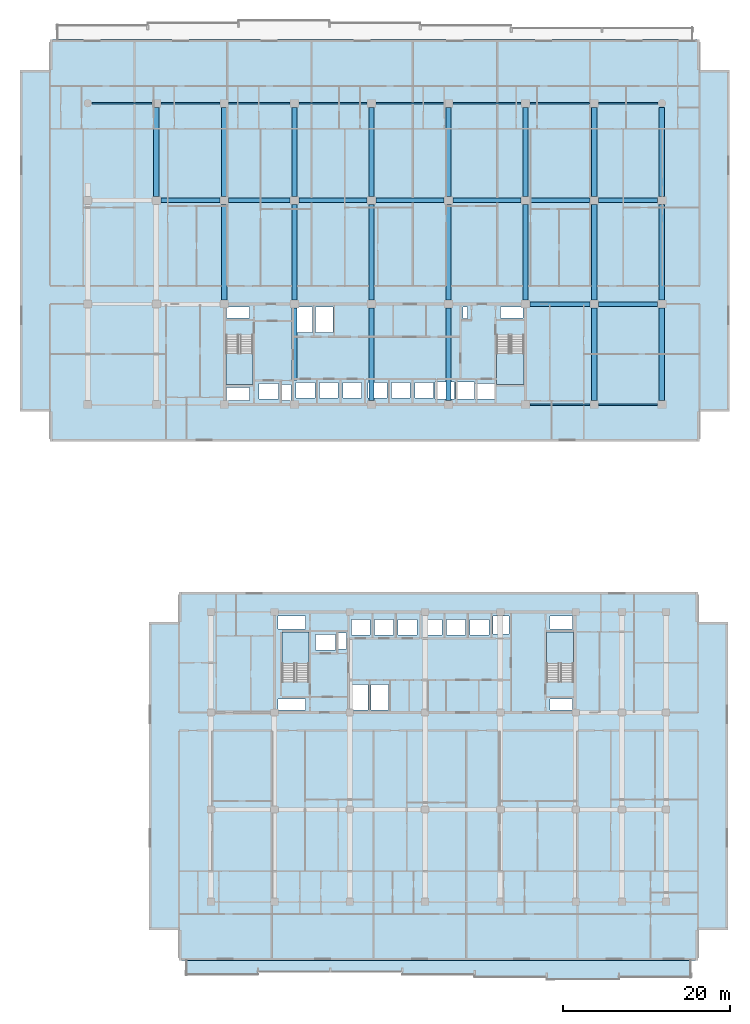
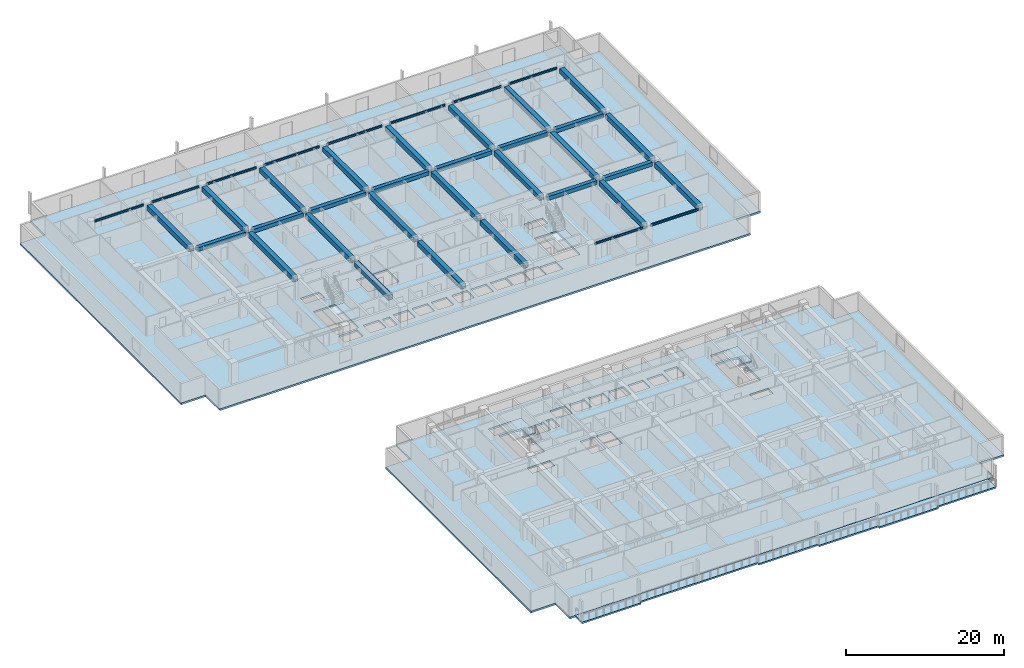
# One storey, part 2 of 23: 39 beams, 7 slabs, 4 elements without a shape of their own.
"""IFC4 building model written with IfcOpenShell, lengths in metres."""

from ifc_helpers import new_model, si_unit, direction, frame, origin, origin_2d, place, context, subcontext, project, spatial, polyline, rectangle, i_section, outline, extrude, material, layer, layer_set, material_profile, profile_set, type_object, element, aggregate, save


model = new_model("IFC4")

# Units and contexts
model_context = context("Model", 3, precision=1e-05, world=origin(), true_north=direction((0.0, 1.0)))
body_context = subcontext(model_context, "Body", "Model", "MODEL_VIEW")
ifc_project = project(units=[si_unit("LENGTHUNIT", "METRE"), si_unit("AREAUNIT", "SQUARE_METRE"), si_unit("VOLUMEUNIT", "CUBIC_METRE"), si_unit("PLANEANGLEUNIT", "RADIAN"), si_unit("MASSUNIT", "GRAM", prefix="KILO")], contexts=[model_context])

# Site, building, storey
site_placement = place(None, origin())
site = spatial("IfcSite", under=ifc_project, at=site_placement, CompositionType="ELEMENT")
building_placement = place(site_placement, origin())
building = spatial("IfcBuilding", under=site, at=building_placement, Name="Korimba Cascade Residences", CompositionType="ELEMENT")
storey_placement = place(building_placement, frame((0.0, 0.0, 27.25)))
storey = spatial("IfcBuildingStorey", under=building, at=storey_placement, Name="L06", CompositionType="ELEMENT", Elevation=27.25)

# Beams
ifc_material_1 = material(Name="Concrete C50/60", Category="concrete")
ifc_material_profile_1 = material_profile(ifc_material_1, rectangle(XDim=0.550048828125, YDim=0.60009765625, at=origin_2d()), Name="Concrete C50/60")
ifc_profile_set_1 = profile_set([ifc_material_profile_1], Name="Concrete C50/60")
beam_type_1 = type_object("IfcBeamType", Name="BM-RC-B600", PredefinedType="BEAM", material=ifc_profile_set_1)
beam_1_placement = place(storey_placement, frame((112.625, 67.199951171875, 2.669921875), z_axis=(1.0, 0.0, 0.0), x_axis=(0.0, 1.0, 0.0)))
element("IfcBeam", 1, at=beam_1_placement, inside=storey, type_object=beam_type_1, Name="L06 T1 E-W Girder Y2 Bay 7", PredefinedType="BEAM", context=body_context, shape_type="SweptSolid", body=[
    extrude(rectangle(XDim=0.550048828125, YDim=0.60009765625, at=origin_2d()), origin(), (0.0, 0.0, 1.0), 7.14990234375),
])
for number, where, z_axis, x_axis, name in (
    (2, (120.824951171875, 67.199951171875, 2.669921875), (1.0, 0.0, 0.0), (0.0, 1.0, 0.0), "L06 T1 E-W Girder Y2 Bay 8"),
    (3, (68.52490234375, 79.60009765625, 2.669921875), (1.0, 0.0, 0.0), (0.0, 1.0, 0.0), "L06 T1 E-W Girder Y3 Bay 2"),
):
    element("IfcBeam", number, at=place(storey_placement, frame(where, z_axis=z_axis, x_axis=x_axis)), inside=storey, type_object=beam_type_1, Name=name, PredefinedType="BEAM", context=body_context, shape_type="SweptSolid", body=[
        extrude(rectangle(XDim=0.550048828125, YDim=0.60009765625, at=origin_2d()), origin(), (0.0, 0.0, 1.0), 7.050048828125),
    ])
beam_2_placement = place(storey_placement, frame((76.625, 79.60009765625, 2.669921875), z_axis=(1.0, 0.0, 0.0), x_axis=(0.0, 1.0, 0.0)))
element("IfcBeam", 4, at=beam_2_placement, inside=storey, type_object=beam_type_1, Name="L06 T1 E-W Girder Y3 Bay 3", PredefinedType="BEAM", context=body_context, shape_type="SweptSolid", body=[
    extrude(rectangle(XDim=0.550048828125, YDim=0.60009765625, at=origin_2d()), origin(), (0.0, 0.0, 1.0), 7.35009765625),
])
beam_3_placement = place(storey_placement, frame((85.02490234375, 79.60009765625, 2.669921875), z_axis=(1.0, 0.0, 0.0), x_axis=(0.0, 1.0, 0.0)))
element("IfcBeam", 5, at=beam_3_placement, inside=storey, type_object=beam_type_1, Name="L06 T1 E-W Girder Y3 Bay 4", PredefinedType="BEAM", context=body_context, shape_type="SweptSolid", body=[
    extrude(rectangle(XDim=0.550048828125, YDim=0.60009765625, at=origin_2d()), origin(), (0.0, 0.0, 1.0), 8.150146484375),
])
for number, where, z_axis, x_axis, name in (
    (6, (94.22509765625, 79.60009765625, 2.669921875), (1.0, 0.0, 0.0), (0.0, 1.0, 0.0), "L06 T1 E-W Girder Y3 Bay 5"),
    (7, (103.425048828125, 79.60009765625, 2.669921875), (1.0, 0.0, 0.0), (0.0, 1.0, 0.0), "L06 T1 E-W Girder Y3 Bay 6"),
):
    element("IfcBeam", number, at=place(storey_placement, frame(where, z_axis=z_axis, x_axis=x_axis)), inside=storey, type_object=beam_type_1, Name=name, PredefinedType="BEAM", context=body_context, shape_type="SweptSolid", body=[
        extrude(rectangle(XDim=0.550048828125, YDim=0.60009765625, at=origin_2d()), origin(), (0.0, 0.0, 1.0), 8.14990234375),
    ])
beam_4_placement = place(storey_placement, frame((112.625, 79.60009765625, 2.669921875), z_axis=(1.0, 0.0, 0.0), x_axis=(0.0, 1.0, 0.0)))
element("IfcBeam", 8, at=beam_4_placement, inside=storey, type_object=beam_type_1, Name="L06 T1 E-W Girder Y3 Bay 7", PredefinedType="BEAM", context=body_context, shape_type="SweptSolid", body=[
    extrude(rectangle(XDim=0.550048828125, YDim=0.60009765625, at=origin_2d()), origin(), (0.0, 0.0, 1.0), 7.14990234375),
])
beam_5_placement = place(storey_placement, frame((120.824951171875, 79.60009765625, 2.669921875), z_axis=(1.0, 0.0, 0.0), x_axis=(0.0, 1.0, 0.0)))
element("IfcBeam", 9, at=beam_5_placement, inside=storey, type_object=beam_type_1, Name="L06 T1 E-W Girder Y3 Bay 8", PredefinedType="BEAM", context=body_context, shape_type="SweptSolid", body=[
    extrude(rectangle(XDim=0.550048828125, YDim=0.60009765625, at=origin_2d()), origin(), (0.0, 0.0, 1.0), 7.050048828125),
])
ifc_material_profile_2 = material_profile(ifc_material_1, rectangle(XDim=0.64990234375, YDim=0.75, at=origin_2d()), Name="Concrete C50/60")
ifc_profile_set_2 = profile_set([ifc_material_profile_2], Name="Concrete C50/60")
beam_type_2 = type_object("IfcBeamType", Name="BM-RC-G750", PredefinedType="BEAM", material=ifc_profile_set_2)
beam_6_placement = place(storey_placement, frame((68.0, 80.074951171875, 2.594970703125), z_axis=(0.0, 1.0, 0.0), x_axis=(-1.0, 0.0, 0.0)))
element("IfcBeam", 10, at=beam_6_placement, inside=storey, type_object=beam_type_2, Name="L06 T1 N-S Girder X2 Seg 3", PredefinedType="BEAM", context=body_context, shape_type="SweptSolid", body=[
    extrude(rectangle(XDim=0.64990234375, YDim=0.75, at=origin_2d()), origin(), (0.0, 0.0, 1.0), 10.650146484375),
])
beam_7_placement = place(storey_placement, frame((76.10009765625, 67.675048828125, 2.594970703125), z_axis=(0.0, 1.0, 0.0), x_axis=(-1.0, 0.0, 0.0)))
element("IfcBeam", 11, at=beam_7_placement, inside=storey, type_object=beam_type_2, Name="L06 T1 N-S Girder X3 Seg 2", PredefinedType="BEAM", context=body_context, shape_type="SweptSolid", body=[
    extrude(rectangle(XDim=0.64990234375, YDim=0.75, at=origin_2d()), origin(), (0.0, 0.0, 1.0), 11.449951171875),
])
beam_8_placement = place(storey_placement, frame((76.10009765625, 80.074951171875, 2.594970703125), z_axis=(0.0, 1.0, 0.0), x_axis=(-1.0, 0.0, 0.0)))
element("IfcBeam", 12, at=beam_8_placement, inside=storey, type_object=beam_type_2, Name="L06 T1 N-S Girder X3 Seg 3", PredefinedType="BEAM", context=body_context, shape_type="SweptSolid", body=[
    extrude(rectangle(XDim=0.64990234375, YDim=0.75, at=origin_2d()), origin(), (0.0, 0.0, 1.0), 10.650146484375),
])
beam_9_placement = place(storey_placement, frame((84.5, 58.159912109375, 2.594970703125), z_axis=(0.0, 1.0, 0.0), x_axis=(-1.0, 0.0, 0.0)))
element("IfcBeam", 13, at=beam_9_placement, inside=storey, type_object=beam_type_2, Name="L06 T1 N-S Girder X4 Seg 1", PredefinedType="BEAM", context=body_context, shape_type="SweptSolid", body=[
    extrude(rectangle(XDim=0.64990234375, YDim=0.75, at=origin_2d()), origin(), (0.0, 0.0, 1.0), 8.565185546875),
])
beam_10_placement = place(storey_placement, frame((84.5, 67.675048828125, 2.594970703125), z_axis=(0.0, 1.0, 0.0), x_axis=(-1.0, 0.0, 0.0)))
element("IfcBeam", 14, at=beam_10_placement, inside=storey, type_object=beam_type_2, Name="L06 T1 N-S Girder X4 Seg 2", PredefinedType="BEAM", context=body_context, shape_type="SweptSolid", body=[
    extrude(rectangle(XDim=0.64990234375, YDim=0.75, at=origin_2d()), origin(), (0.0, 0.0, 1.0), 11.449951171875),
])
beam_11_placement = place(storey_placement, frame((84.5, 80.074951171875, 2.594970703125), z_axis=(0.0, 1.0, 0.0), x_axis=(-1.0, 0.0, 0.0)))
element("IfcBeam", 15, at=beam_11_placement, inside=storey, type_object=beam_type_2, Name="L06 T1 N-S Girder X4 Seg 3", PredefinedType="BEAM", context=body_context, shape_type="SweptSolid", body=[
    extrude(rectangle(XDim=0.64990234375, YDim=0.75, at=origin_2d()), origin(), (0.0, 0.0, 1.0), 10.650146484375),
])
beam_12_placement = place(storey_placement, frame((93.699951171875, 55.675048828125, 2.594970703125), z_axis=(0.0, 1.0, 0.0), x_axis=(-1.0, 0.0, 0.0)))
element("IfcBeam", 16, at=beam_12_placement, inside=storey, type_object=beam_type_2, Name="L06 T1 N-S Girder X5 Seg 1", PredefinedType="BEAM", context=body_context, shape_type="SweptSolid", body=[
    extrude(rectangle(XDim=0.64990234375, YDim=0.75, at=origin_2d()), origin(), (0.0, 0.0, 1.0), 11.050048828125),
])
beam_13_placement = place(storey_placement, frame((93.699951171875, 67.675048828125, 2.594970703125), z_axis=(0.0, 1.0, 0.0), x_axis=(-1.0, 0.0, 0.0)))
element("IfcBeam", 17, at=beam_13_placement, inside=storey, type_object=beam_type_2, Name="L06 T1 N-S Girder X5 Seg 2", PredefinedType="BEAM", context=body_context, shape_type="SweptSolid", body=[
    extrude(rectangle(XDim=0.64990234375, YDim=0.75, at=origin_2d()), origin(), (0.0, 0.0, 1.0), 11.449951171875),
])
beam_14_placement = place(storey_placement, frame((93.699951171875, 80.074951171875, 2.594970703125), z_axis=(0.0, 1.0, 0.0), x_axis=(-1.0, 0.0, 0.0)))
element("IfcBeam", 18, at=beam_14_placement, inside=storey, type_object=beam_type_2, Name="L06 T1 N-S Girder X5 Seg 3", PredefinedType="BEAM", context=body_context, shape_type="SweptSolid", body=[
    extrude(rectangle(XDim=0.64990234375, YDim=0.75, at=origin_2d()), origin(), (0.0, 0.0, 1.0), 10.650146484375),
])
beam_15_placement = place(storey_placement, frame((102.89990234375, 55.675048828125, 2.594970703125), z_axis=(0.0, 1.0, 0.0), x_axis=(-1.0, 0.0, 0.0)))
element("IfcBeam", 19, at=beam_15_placement, inside=storey, type_object=beam_type_2, Name="L06 T1 N-S Girder X6 Seg 1", PredefinedType="BEAM", context=body_context, shape_type="SweptSolid", body=[
    extrude(rectangle(XDim=0.64990234375, YDim=0.75, at=origin_2d()), origin(), (0.0, 0.0, 1.0), 11.050048828125),
])
beam_16_placement = place(storey_placement, frame((102.89990234375, 67.675048828125, 2.594970703125), z_axis=(0.0, 1.0, 0.0), x_axis=(-1.0, 0.0, 0.0)))
element("IfcBeam", 20, at=beam_16_placement, inside=storey, type_object=beam_type_2, Name="L06 T1 N-S Girder X6 Seg 2", PredefinedType="BEAM", context=body_context, shape_type="SweptSolid", body=[
    extrude(rectangle(XDim=0.64990234375, YDim=0.75, at=origin_2d()), origin(), (0.0, 0.0, 1.0), 11.449951171875),
])
beam_17_placement = place(storey_placement, frame((102.89990234375, 80.074951171875, 2.594970703125), z_axis=(0.0, 1.0, 0.0), x_axis=(-1.0, 0.0, 0.0)))
element("IfcBeam", 21, at=beam_17_placement, inside=storey, type_object=beam_type_2, Name="L06 T1 N-S Girder X6 Seg 3", PredefinedType="BEAM", context=body_context, shape_type="SweptSolid", body=[
    extrude(rectangle(XDim=0.64990234375, YDim=0.75, at=origin_2d()), origin(), (0.0, 0.0, 1.0), 10.650146484375),
])
beam_18_placement = place(storey_placement, frame((112.10009765625, 67.675048828125, 2.594970703125), z_axis=(0.0, 1.0, 0.0), x_axis=(-1.0, 0.0, 0.0)))
element("IfcBeam", 22, at=beam_18_placement, inside=storey, type_object=beam_type_2, Name="L06 T1 N-S Girder X7 Seg 2", PredefinedType="BEAM", context=body_context, shape_type="SweptSolid", body=[
    extrude(rectangle(XDim=0.64990234375, YDim=0.75, at=origin_2d()), origin(), (0.0, 0.0, 1.0), 11.449951171875),
])
beam_19_placement = place(storey_placement, frame((112.10009765625, 80.074951171875, 2.594970703125), z_axis=(0.0, 1.0, 0.0), x_axis=(-1.0, 0.0, 0.0)))
element("IfcBeam", 23, at=beam_19_placement, inside=storey, type_object=beam_type_2, Name="L06 T1 N-S Girder X7 Seg 3", PredefinedType="BEAM", context=body_context, shape_type="SweptSolid", body=[
    extrude(rectangle(XDim=0.64990234375, YDim=0.75, at=origin_2d()), origin(), (0.0, 0.0, 1.0), 10.650146484375),
])
beam_20_placement = place(storey_placement, frame((120.300048828125, 55.675048828125, 2.594970703125), z_axis=(0.0, 1.0, 0.0), x_axis=(-1.0, 0.0, 0.0)))
element("IfcBeam", 24, at=beam_20_placement, inside=storey, type_object=beam_type_2, Name="L06 T1 N-S Girder X8 Seg 1", PredefinedType="BEAM", context=body_context, shape_type="SweptSolid", body=[
    extrude(rectangle(XDim=0.64990234375, YDim=0.75, at=origin_2d()), origin(), (0.0, 0.0, 1.0), 11.050048828125),
])
beam_21_placement = place(storey_placement, frame((120.300048828125, 67.675048828125, 2.594970703125), z_axis=(0.0, 1.0, 0.0), x_axis=(-1.0, 0.0, 0.0)))
element("IfcBeam", 25, at=beam_21_placement, inside=storey, type_object=beam_type_2, Name="L06 T1 N-S Girder X8 Seg 2", PredefinedType="BEAM", context=body_context, shape_type="SweptSolid", body=[
    extrude(rectangle(XDim=0.64990234375, YDim=0.75, at=origin_2d()), origin(), (0.0, 0.0, 1.0), 11.449951171875),
])
beam_22_placement = place(storey_placement, frame((120.300048828125, 80.074951171875, 2.594970703125), z_axis=(0.0, 1.0, 0.0), x_axis=(-1.0, 0.0, 0.0)))
element("IfcBeam", 26, at=beam_22_placement, inside=storey, type_object=beam_type_2, Name="L06 T1 N-S Girder X8 Seg 3", PredefinedType="BEAM", context=body_context, shape_type="SweptSolid", body=[
    extrude(rectangle(XDim=0.64990234375, YDim=0.75, at=origin_2d()), origin(), (0.0, 0.0, 1.0), 10.650146484375),
])
beam_23_placement = place(storey_placement, frame((128.39990234375, 55.675048828125, 2.594970703125), z_axis=(0.0, 1.0, 0.0), x_axis=(-1.0, 0.0, 0.0)))
element("IfcBeam", 27, at=beam_23_placement, inside=storey, type_object=beam_type_2, Name="L06 T1 N-S Girder X9 Seg 1", PredefinedType="BEAM", context=body_context, shape_type="SweptSolid", body=[
    extrude(rectangle(XDim=0.64990234375, YDim=0.75, at=origin_2d()), origin(), (0.0, 0.0, 1.0), 11.050048828125),
])
beam_24_placement = place(storey_placement, frame((128.39990234375, 67.675048828125, 2.594970703125), z_axis=(0.0, 1.0, 0.0), x_axis=(-1.0, 0.0, 0.0)))
element("IfcBeam", 28, at=beam_24_placement, inside=storey, type_object=beam_type_2, Name="L06 T1 N-S Girder X9 Seg 2", PredefinedType="BEAM", context=body_context, shape_type="SweptSolid", body=[
    extrude(rectangle(XDim=0.64990234375, YDim=0.75, at=origin_2d()), origin(), (0.0, 0.0, 1.0), 11.449951171875),
])
beam_25_placement = place(storey_placement, frame((128.39990234375, 80.074951171875, 2.594970703125), z_axis=(0.0, 1.0, 0.0), x_axis=(-1.0, 0.0, 0.0)))
element("IfcBeam", 29, at=beam_25_placement, inside=storey, type_object=beam_type_2, Name="L06 T1 N-S Girder X9 Seg 3", PredefinedType="BEAM", context=body_context, shape_type="SweptSolid", body=[
    extrude(rectangle(XDim=0.64990234375, YDim=0.75, at=origin_2d()), origin(), (0.0, 0.0, 1.0), 10.650146484375),
])
ifc_material_2 = material(Name="Steel S355", Category="steel")
ifc_material_profile_3 = material_profile(ifc_material_2, i_section(OverallWidth=0.165771484375, OverallDepth=0.306640625, WebThickness=0.006591796875, FlangeThickness=0.01171875, FilletRadius=0.0087890625, at=origin_2d()), Name="Steel S355")
ifc_profile_set_3 = profile_set([ifc_material_profile_3], Name="Steel S355")
beam_type_3 = type_object("IfcBeamType", Name="BM-STL-UB305", PredefinedType="SPANDREL", material=ifc_profile_set_3)
beam_26_placement = place(storey_placement, frame((112.625, 55.199951171875, 2.816650390625), z_axis=(1.0, 0.0, 0.0), x_axis=(0.0, 1.0, 0.0)))
element("IfcBeam", 30, at=beam_26_placement, inside=storey, type_object=beam_type_3, Name="L06 T1 E-W Girder Y1 Bay 7", PredefinedType="SPANDREL", context=body_context, shape_type="SweptSolid", body=[
    extrude(i_section(OverallWidth=0.165771484375, OverallDepth=0.306640625, WebThickness=0.006591796875, FlangeThickness=0.01171875, FilletRadius=0.0087890625, at=origin_2d()), origin(), (0.0, 0.0, 1.0), 7.14990234375),
])
beam_27_placement = place(storey_placement, frame((120.824951171875, 55.199951171875, 2.816650390625), z_axis=(1.0, 0.0, 0.0), x_axis=(0.0, 1.0, 0.0)))
element("IfcBeam", 31, at=beam_27_placement, inside=storey, type_object=beam_type_3, Name="L06 T1 E-W Girder Y1 Bay 8", PredefinedType="SPANDREL", context=body_context, shape_type="SweptSolid", body=[
    extrude(i_section(OverallWidth=0.165771484375, OverallDepth=0.306640625, WebThickness=0.006591796875, FlangeThickness=0.01171875, FilletRadius=0.0087890625, at=origin_2d()), origin(), (0.0, 0.0, 1.0), 7.050048828125),
])
beam_28_placement = place(storey_placement, frame((60.27490234375, 91.199951171875, 2.816650390625), z_axis=(1.0, 0.0, 0.0), x_axis=(0.0, 1.0, 0.0)))
element("IfcBeam", 32, at=beam_28_placement, inside=storey, type_object=beam_type_3, Name="L06 T1 E-W Girder Y4 Bay 1", PredefinedType="SPANDREL", context=body_context, shape_type="SweptSolid", body=[
    extrude(i_section(OverallWidth=0.165771484375, OverallDepth=0.306640625, WebThickness=0.006591796875, FlangeThickness=0.01171875, FilletRadius=0.0087890625, at=origin_2d()), origin(), (0.0, 0.0, 1.0), 7.2001953125),
])
beam_29_placement = place(storey_placement, frame((68.52490234375, 91.199951171875, 2.816650390625), z_axis=(1.0, 0.0, 0.0), x_axis=(0.0, 1.0, 0.0)))
element("IfcBeam", 33, at=beam_29_placement, inside=storey, type_object=beam_type_3, Name="L06 T1 E-W Girder Y4 Bay 2", PredefinedType="SPANDREL", context=body_context, shape_type="SweptSolid", body=[
    extrude(i_section(OverallWidth=0.165771484375, OverallDepth=0.306640625, WebThickness=0.006591796875, FlangeThickness=0.01171875, FilletRadius=0.0087890625, at=origin_2d()), origin(), (0.0, 0.0, 1.0), 7.050048828125),
])
beam_30_placement = place(storey_placement, frame((76.625, 91.199951171875, 2.816650390625), z_axis=(1.0, 0.0, 0.0), x_axis=(0.0, 1.0, 0.0)))
element("IfcBeam", 34, at=beam_30_placement, inside=storey, type_object=beam_type_3, Name="L06 T1 E-W Girder Y4 Bay 3", PredefinedType="SPANDREL", context=body_context, shape_type="SweptSolid", body=[
    extrude(i_section(OverallWidth=0.165771484375, OverallDepth=0.306640625, WebThickness=0.006591796875, FlangeThickness=0.01171875, FilletRadius=0.0087890625, at=origin_2d()), origin(), (0.0, 0.0, 1.0), 7.35009765625),
])
beam_31_placement = place(storey_placement, frame((85.02490234375, 91.199951171875, 2.816650390625), z_axis=(1.0, 0.0, 0.0), x_axis=(0.0, 1.0, 0.0)))
element("IfcBeam", 35, at=beam_31_placement, inside=storey, type_object=beam_type_3, Name="L06 T1 E-W Girder Y4 Bay 4", PredefinedType="SPANDREL", context=body_context, shape_type="SweptSolid", body=[
    extrude(i_section(OverallWidth=0.165771484375, OverallDepth=0.306640625, WebThickness=0.006591796875, FlangeThickness=0.01171875, FilletRadius=0.0087890625, at=origin_2d()), origin(), (0.0, 0.0, 1.0), 8.150146484375),
])
for number, where, z_axis, x_axis, name in (
    (36, (94.22509765625, 91.199951171875, 2.816650390625), (1.0, 0.0, 0.0), (0.0, 1.0, 0.0), "L06 T1 E-W Girder Y4 Bay 5"),
    (37, (103.425048828125, 91.199951171875, 2.816650390625), (1.0, 0.0, 0.0), (0.0, 1.0, 0.0), "L06 T1 E-W Girder Y4 Bay 6"),
):
    element("IfcBeam", number, at=place(storey_placement, frame(where, z_axis=z_axis, x_axis=x_axis)), inside=storey, type_object=beam_type_3, Name=name, PredefinedType="SPANDREL", context=body_context, shape_type="SweptSolid", body=[
        extrude(i_section(OverallWidth=0.165771484375, OverallDepth=0.306640625, WebThickness=0.006591796875, FlangeThickness=0.01171875, FilletRadius=0.0087890625, at=origin_2d()), origin(), (0.0, 0.0, 1.0), 8.14990234375),
    ])
beam_32_placement = place(storey_placement, frame((112.625, 91.199951171875, 2.816650390625), z_axis=(1.0, 0.0, 0.0), x_axis=(0.0, 1.0, 0.0)))
element("IfcBeam", 38, at=beam_32_placement, inside=storey, type_object=beam_type_3, Name="L06 T1 E-W Girder Y4 Bay 7", PredefinedType="SPANDREL", context=body_context, shape_type="SweptSolid", body=[
    extrude(i_section(OverallWidth=0.165771484375, OverallDepth=0.306640625, WebThickness=0.006591796875, FlangeThickness=0.01171875, FilletRadius=0.0087890625, at=origin_2d()), origin(), (0.0, 0.0, 1.0), 7.14990234375),
])
beam_33_placement = place(storey_placement, frame((120.824951171875, 91.199951171875, 2.816650390625), z_axis=(1.0, 0.0, 0.0), x_axis=(0.0, 1.0, 0.0)))
element("IfcBeam", 39, at=beam_33_placement, inside=storey, type_object=beam_type_3, Name="L06 T1 E-W Girder Y4 Bay 8", PredefinedType="SPANDREL", context=body_context, shape_type="SweptSolid", body=[
    extrude(i_section(OverallWidth=0.165771484375, OverallDepth=0.306640625, WebThickness=0.006591796875, FlangeThickness=0.01171875, FilletRadius=0.0087890625, at=origin_2d()), origin(), (0.0, 0.0, 1.0), 7.10009765625),
])

# Stair, slab
stair_type_1 = type_object("IfcStairType", Name="STR-W1-18R-1806", PredefinedType="HALF_TURN_STAIR", material=ifc_material_1)
stair_1_placement = place(storey_placement, origin())
stair_1 = element("IfcStair", 40, at=stair_1_placement, inside=storey, type_object=stair_type_1, Name="L06 Tower 1 West Fire Stair ST-W1", PredefinedType="HALF_TURN_STAIR")
ifc_layer_1 = layer(ifc_material_1, 0.199951171875)
ifc_layer_set_1 = layer_set([ifc_layer_1], Name="Concrete C50/60")
slab_type_1 = type_object("IfcSlabType", Name="SLB-LND-220", PredefinedType="LANDING", material=ifc_layer_set_1)
slab_1_placement = place(storey_placement, frame((0.0, 0.0, 1.425048828125)))
slab_1 = element("IfcSlab", 41, at=slab_1_placement, type_object=slab_type_1, Name="ST-W1 landing 1", PredefinedType="LANDING", context=body_context, shape_type="SweptSolid", body=[
    extrude(outline(polyline([(76.300048828125, 61.31005859375), (76.300048828125, 57.60009765625), (79.5400390625, 57.60009765625), (79.5400390625, 61.31005859375), (76.300048828125, 61.31005859375)])), origin(), (0.0, 0.0, 1.0), 0.199951171875),
])
aggregate(stair_1, [slab_1])

stair_type_2 = type_object("IfcStairType", Name="STR-W2-18R-1806", PredefinedType="HALF_TURN_STAIR", material=ifc_material_1)
stair_2_placement = place(storey_placement, origin())
stair_2 = element("IfcStair", 42, at=stair_2_placement, inside=storey, type_object=stair_type_2, Name="L06 Tower 1 East Fire Stair ST-W2", PredefinedType="HALF_TURN_STAIR")
slab_2_placement = place(storey_placement, frame((0.0, 0.0, 1.425048828125)))
slab_2 = element("IfcSlab", 43, at=slab_2_placement, type_object=slab_type_1, Name="ST-W2 landing 1", PredefinedType="LANDING", context=body_context, shape_type="SweptSolid", body=[
    extrude(outline(polyline([(108.659912109375, 61.31005859375), (108.659912109375, 57.60009765625), (111.89990234375, 57.60009765625), (111.89990234375, 61.31005859375), (108.659912109375, 61.31005859375)])), origin(), (0.0, 0.0, 1.0), 0.199951171875),
])
aggregate(stair_2, [slab_2])

stair_type_3 = type_object("IfcStairType", Name="STR-E1-18R-1806", PredefinedType="HALF_TURN_STAIR", material=ifc_material_1)
stair_3_placement = place(storey_placement, origin())
stair_3 = element("IfcStair", 44, at=stair_3_placement, inside=storey, type_object=stair_type_3, Name="L06 Tower 2 West Fire Stair ST-E1", PredefinedType="HALF_TURN_STAIR")
slab_3_placement = place(storey_placement, frame((0.0, 0.0, 1.425048828125)))
slab_3 = element("IfcSlab", 45, at=slab_3_placement, type_object=slab_type_1, Name="ST-E1 landing 1", PredefinedType="LANDING", context=body_context, shape_type="SweptSolid", body=[
    extrude(outline(polyline([(86.239990234375, 24.2900390625), (86.239990234375, 28.0), (83.0, 28.0), (83.0, 24.2900390625), (86.239990234375, 24.2900390625)])), origin(), (0.0, 0.0, 1.0), 0.199951171875),
])
aggregate(stair_3, [slab_3])

stair_type_4 = type_object("IfcStairType", Name="STR-E2-18R-1806", PredefinedType="HALF_TURN_STAIR", material=ifc_material_1)
stair_4_placement = place(storey_placement, origin())
stair_4 = element("IfcStair", 46, at=stair_4_placement, inside=storey, type_object=stair_type_4, Name="L06 Tower 2 East Fire Stair ST-E2", PredefinedType="HALF_TURN_STAIR")
slab_4_placement = place(storey_placement, frame((0.0, 0.0, 1.425048828125)))
slab_4 = element("IfcSlab", 47, at=slab_4_placement, type_object=slab_type_1, Name="ST-E2 landing 1", PredefinedType="LANDING", context=body_context, shape_type="SweptSolid", body=[
    extrude(outline(polyline([(117.840087890625, 24.2900390625), (117.840087890625, 28.0), (114.60009765625, 28.0), (114.60009765625, 24.2900390625), (117.840087890625, 24.2900390625)])), origin(), (0.0, 0.0, 1.0), 0.199951171875),
])
aggregate(stair_4, [slab_4])

# Slabs
ifc_material_3 = material(Name="Precast concrete C40/50", Category="concrete")
ifc_layer_2 = layer(ifc_material_3, 0.239990234375)
ifc_layer_set_2 = layer_set([ifc_layer_2], Name="Precast concrete C40/50")
slab_type_2 = type_object("IfcSlabType", Name="SLB-LOG-240", PredefinedType="FLOOR", material=ifc_layer_set_2)
slab_5_placement = place(storey_placement, frame((0.0, 0.0, -0.239990234375)))
element("IfcSlab", 48, at=slab_5_placement, inside=storey, type_object=slab_type_2, Name="L06 Tower 2 South Loggia Slab", PredefinedType="FLOOR", context=body_context, shape_type="SweptSolid", body=[
    extrude(outline(polyline([(71.5, -12.949951171875), (80.128662109375, -12.949951171875), (80.128662109375, -12.64990234375), (97.3857421875, -12.64990234375), (97.3857421875, -12.949951171875), (106.014404296875, -12.949951171875), (106.014404296875, -13.25), (114.642822265625, -13.25), (114.642822265625, -13.550048828125), (123.271484375, -13.550048828125), (123.271484375, -13.25), (131.89990234375, -13.25), (131.89990234375, -11.199951171875), (71.5, -11.199951171875), (71.5, -12.949951171875)])), origin(), (0.0, 0.0, 1.0), 0.239990234375),
])
ifc_layer_3 = layer(ifc_material_1, 0.280029296875)
ifc_layer_set_3 = layer_set([ifc_layer_3], Name="Concrete C50/60")
slab_type_3 = type_object("IfcSlabType", Name="SLB-TYP-280", PredefinedType="FLOOR", material=ifc_layer_set_3)
slab_6_placement = place(storey_placement, frame((0.0, 0.0, -0.280029296875)))
element("IfcSlab", 49, at=slab_6_placement, inside=storey, type_object=slab_type_3, Name="L06 Tower 1 Floor Slab", PredefinedType="FLOOR", context=body_context, shape_type="SweptSolid", body=[
    extrude(outline(polyline([(55.300048828125, 50.800048828125), (132.89990234375, 50.800048828125), (132.89990234375, 54.39990234375), (136.5, 54.39990234375), (136.5, 95.199951171875), (132.89990234375, 95.199951171875), (132.89990234375, 98.800048828125), (55.300048828125, 98.800048828125), (55.300048828125, 95.199951171875), (51.699951171875, 95.199951171875), (51.699951171875, 54.39990234375), (55.300048828125, 54.39990234375), (55.300048828125, 50.800048828125)]), holes=[polyline([(76.300048828125, 63.514892578125), (76.300048828125, 57.60009765625), (79.5400390625, 57.60009765625), (79.5400390625, 63.514892578125), (76.300048828125, 63.514892578125)]), polyline([(108.659912109375, 63.514892578125), (108.659912109375, 57.60009765625), (111.89990234375, 57.60009765625), (111.89990234375, 63.514892578125), (108.659912109375, 63.514892578125)]), polyline([(80.22998046875, 55.8798828125), (82.570068359375, 55.8798828125), (82.570068359375, 57.719970703125), (80.22998046875, 57.719970703125), (80.22998046875, 55.8798828125)]), polyline([(106.080078125, 55.8798828125), (108.419921875, 55.8798828125), (108.419921875, 57.719970703125), (106.080078125, 57.719970703125), (106.080078125, 55.8798828125)]), polyline([(84.679931640625, 55.97998046875), (86.919921875, 55.97998046875), (86.919921875, 57.820068359375), (84.679931640625, 57.820068359375), (84.679931640625, 55.97998046875)]), polyline([(87.47998046875, 55.97998046875), (89.719970703125, 55.97998046875), (89.719970703125, 57.820068359375), (87.47998046875, 57.820068359375), (87.47998046875, 55.97998046875)]), polyline([(90.280029296875, 55.97998046875), (92.52001953125, 55.97998046875), (92.52001953125, 57.820068359375), (90.280029296875, 57.820068359375), (90.280029296875, 55.97998046875)]), polyline([(93.280029296875, 55.97998046875), (95.52001953125, 55.97998046875), (95.52001953125, 57.820068359375), (93.280029296875, 57.820068359375), (93.280029296875, 55.97998046875)]), polyline([(96.080078125, 55.97998046875), (98.320068359375, 55.97998046875), (98.320068359375, 57.820068359375), (96.080078125, 57.820068359375), (96.080078125, 55.97998046875)]), polyline([(98.8798828125, 55.97998046875), (101.1201171875, 55.97998046875), (101.1201171875, 57.820068359375), (98.8798828125, 57.820068359375), (98.8798828125, 55.97998046875)]), polyline([(101.304931640625, 55.8798828125), (103.594970703125, 55.8798828125), (103.594970703125, 57.919921875), (101.304931640625, 57.919921875), (101.304931640625, 55.8798828125)]), polyline([(103.705078125, 55.8798828125), (105.9951171875, 55.8798828125), (105.9951171875, 57.919921875), (103.705078125, 57.919921875), (103.705078125, 55.8798828125)]), polyline([(82.97998046875, 55.679931640625), (84.080078125, 55.679931640625), (84.080078125, 57.6201171875), (82.97998046875, 57.6201171875), (82.97998046875, 55.679931640625)]), polyline([(76.39990234375, 65.56005859375), (79.10009765625, 65.56005859375), (79.10009765625, 66.8798828125), (76.39990234375, 66.8798828125), (76.39990234375, 65.56005859375)]), polyline([(76.39990234375, 55.679931640625), (79.10009765625, 55.679931640625), (79.10009765625, 57.239990234375), (76.39990234375, 57.239990234375), (76.39990234375, 55.679931640625)]), polyline([(84.530029296875, 63.820068359375), (86.6201171875, 63.820068359375), (86.6201171875, 66.8798828125), (84.530029296875, 66.8798828125), (84.530029296875, 63.820068359375)]), polyline([(86.97998046875, 63.820068359375), (89.070068359375, 63.820068359375), (89.070068359375, 66.8798828125), (86.97998046875, 66.8798828125), (86.97998046875, 63.820068359375)]), polyline([(104.6201171875, 65.4599609375), (105.179931640625, 65.4599609375), (105.179931640625, 66.8798828125), (104.6201171875, 66.8798828125), (104.6201171875, 65.4599609375)]), polyline([(109.080078125, 65.56005859375), (111.800048828125, 65.56005859375), (111.800048828125, 66.8798828125), (109.080078125, 66.8798828125), (109.080078125, 65.56005859375)])]), origin(), (0.0, 0.0, 1.0), 0.280029296875),
])
slab_7_placement = place(storey_placement, frame((0.0, 0.0, -0.280029296875)))
element("IfcSlab", 50, at=slab_7_placement, inside=storey, type_object=slab_type_3, Name="L06 Tower 2 Floor Slab", PredefinedType="FLOOR", context=body_context, shape_type="SweptSolid", body=[
    extrude(outline(polyline([(70.699951171875, -11.199951171875), (132.699951171875, -11.199951171875), (132.699951171875, -7.60009765625), (136.300048828125, -7.60009765625), (136.300048828125, 29.199951171875), (132.699951171875, 29.199951171875), (132.699951171875, 32.800048828125), (70.699951171875, 32.800048828125), (70.699951171875, 29.199951171875), (67.10009765625, 29.199951171875), (67.10009765625, -7.60009765625), (70.699951171875, -7.60009765625), (70.699951171875, -11.199951171875)]), holes=[polyline([(86.239990234375, 22.0849609375), (86.239990234375, 28.0), (83.0, 28.0), (83.0, 22.0849609375), (86.239990234375, 22.0849609375)]), polyline([(117.840087890625, 22.0849609375), (117.840087890625, 28.0), (114.60009765625, 28.0), (114.60009765625, 22.0849609375), (117.840087890625, 22.0849609375)]), polyline([(87.030029296875, 25.8798828125), (89.3701171875, 25.8798828125), (89.3701171875, 27.719970703125), (87.030029296875, 27.719970703125), (87.030029296875, 25.8798828125)]), polyline([(91.280029296875, 27.679931640625), (93.52001953125, 27.679931640625), (93.52001953125, 29.52001953125), (91.280029296875, 29.52001953125), (91.280029296875, 27.679931640625)]), polyline([(94.080078125, 27.679931640625), (96.320068359375, 27.679931640625), (96.320068359375, 29.52001953125), (94.080078125, 29.52001953125), (94.080078125, 27.679931640625)]), polyline([(96.8798828125, 27.679931640625), (99.1201171875, 27.679931640625), (99.1201171875, 29.52001953125), (96.8798828125, 29.52001953125), (96.8798828125, 27.679931640625)]), polyline([(99.8798828125, 27.679931640625), (102.1201171875, 27.679931640625), (102.1201171875, 29.52001953125), (99.8798828125, 29.52001953125), (99.8798828125, 27.679931640625)]), polyline([(102.679931640625, 27.679931640625), (104.919921875, 27.679931640625), (104.919921875, 29.52001953125), (102.679931640625, 29.52001953125), (102.679931640625, 27.679931640625)]), polyline([(105.47998046875, 27.679931640625), (107.719970703125, 27.679931640625), (107.719970703125, 29.52001953125), (105.47998046875, 29.52001953125), (105.47998046875, 27.679931640625)]), polyline([(89.780029296875, 25.97998046875), (90.719970703125, 25.97998046875), (90.719970703125, 27.919921875), (89.780029296875, 27.919921875), (89.780029296875, 25.97998046875)]), polyline([(82.530029296875, 18.72998046875), (85.800048828125, 18.72998046875), (85.800048828125, 20.0400390625), (82.530029296875, 20.0400390625), (82.530029296875, 18.72998046875)]), polyline([(82.530029296875, 28.360107421875), (85.800048828125, 28.360107421875), (85.800048828125, 29.969970703125), (82.530029296875, 29.969970703125), (82.530029296875, 28.360107421875)]), polyline([(108.22998046875, 27.780029296875), (110.1201171875, 27.780029296875), (110.1201171875, 29.969970703125), (108.22998046875, 29.969970703125), (108.22998046875, 27.780029296875)]), polyline([(91.22998046875, 18.72998046875), (93.27001953125, 18.72998046875), (93.27001953125, 21.780029296875), (91.22998046875, 21.780029296875), (91.22998046875, 18.72998046875)]), polyline([(93.6298828125, 18.72998046875), (95.719970703125, 18.72998046875), (95.719970703125, 21.780029296875), (93.6298828125, 21.780029296875), (93.6298828125, 18.72998046875)]), polyline([(115.02001953125, 18.72998046875), (117.739990234375, 18.72998046875), (117.739990234375, 20.0400390625), (115.02001953125, 20.0400390625), (115.02001953125, 18.72998046875)]), polyline([(115.02001953125, 28.360107421875), (117.739990234375, 28.360107421875), (117.739990234375, 29.969970703125), (115.02001953125, 29.969970703125), (115.02001953125, 28.360107421875)])]), origin(), (0.0, 0.0, 1.0), 0.280029296875),
])

save(model, "model.ifc")
